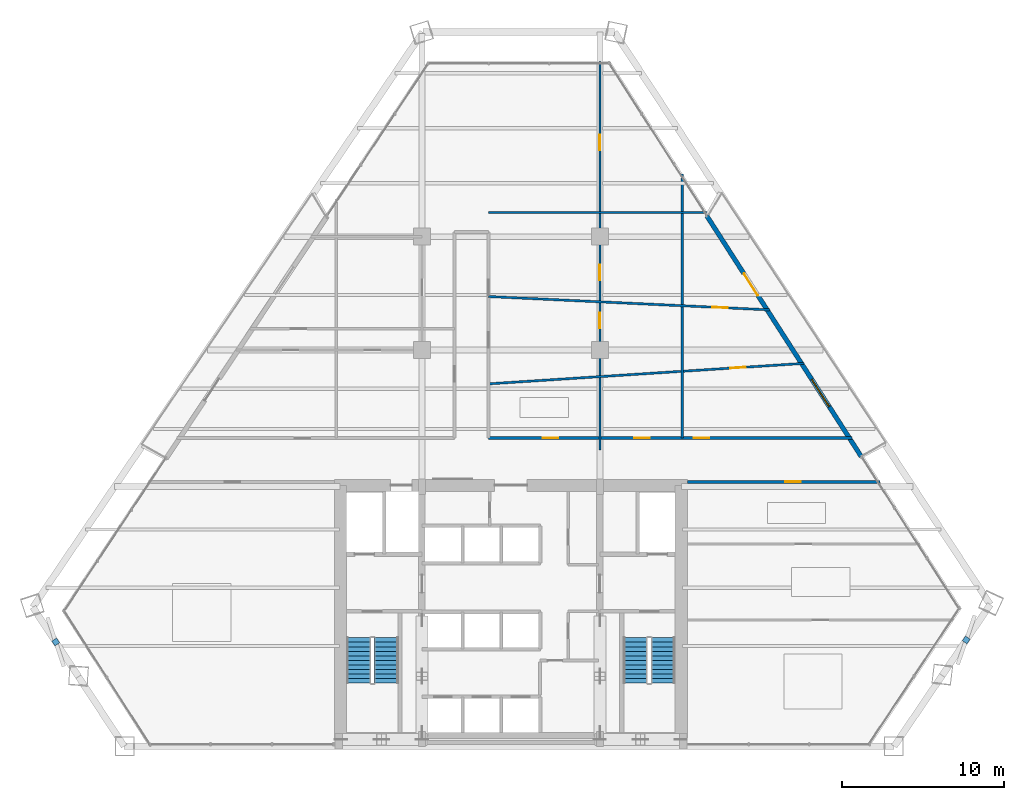
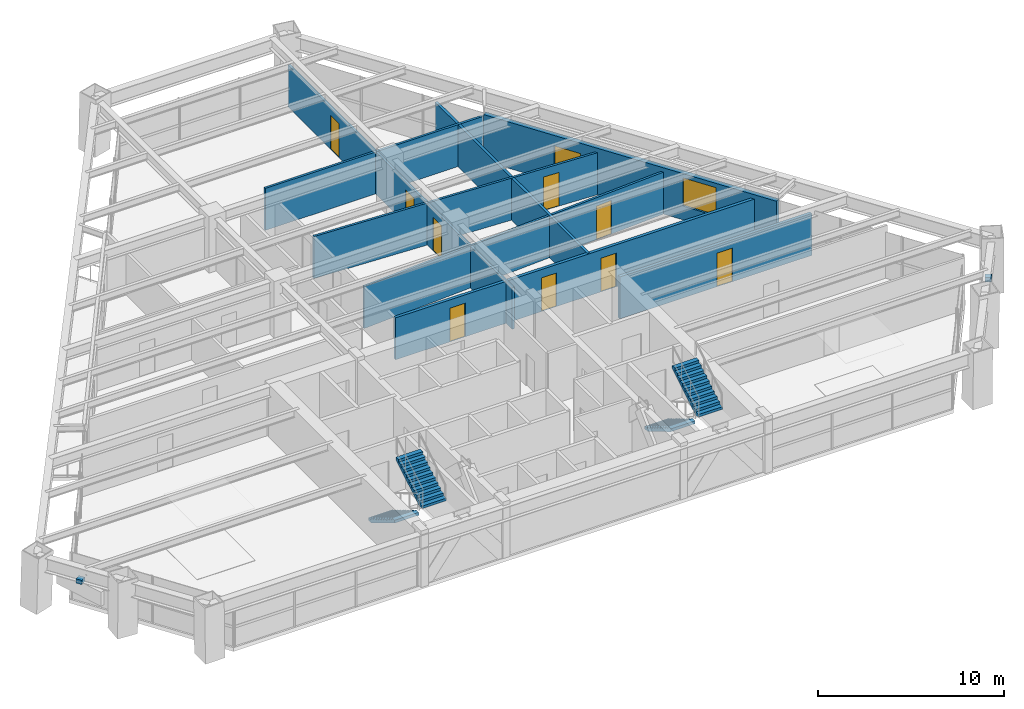
# One storey, part 12 of 14: 10 doors, 8 walls, 4 stair flights, 2 discrete accessories, 1 window, 11 openings, 2 elements without a shape of their own.
"""IFC4 building model written with IfcOpenShell, lengths in metres."""

import ifcopenshell
import ifcopenshell.guid

model = None  # the IFC model being written
_history = None  # IfcOwnerHistory: only IFC2X3 demands one
_inside = {}  # id of a spatial element -> (the spatial element, [elements in it])
_under = {}  # id of a project, library or spatial element -> (it, [spatial elements below it])
_declared = {}  # id of a project -> (the project, [libraries it declares])
_typed = {}  # id of a type object -> (the type object, [elements of that type])
_made_of = {}  # id of a material, layer set ... -> (it, [elements and type objects made of it])


def new_model(schema):
    """Start an empty IFC model of exactly this schema.

    Asked for "IFC4X3", IfcOpenShell would pick the latest addendum, in which some entities
    have other attributes; the version numbers below select the first issue.
    IFC2X3 requires an IfcOwnerHistory on every rooted entity: one is made here for all.
    """
    global model, _history
    if schema == "IFC4X3":
        model = ifcopenshell.file(schema_version=(4, 3, 0, 0))
    else:
        model = ifcopenshell.file(schema=schema)
    _inside.clear()
    _under.clear()
    _declared.clear()
    _typed.clear()
    _made_of.clear()
    _history = None
    if model.schema == "IFC2X3":
        org = make("IfcOrganization", Name="unknown")
        user = make(
            "IfcPersonAndOrganization",
            ThePerson=make("IfcPerson", FamilyName="unknown"),
            TheOrganization=org,
        )
        app = make(
            "IfcApplication",
            ApplicationDeveloper=org,
            Version="unknown",
            ApplicationFullName="unknown",
            ApplicationIdentifier="unknown",
        )
        _history = make(
            "IfcOwnerHistory",
            OwningUser=user,
            OwningApplication=app,
            ChangeAction="ADDED",
            CreationDate=0,
        )
    return model


def make(cls, **values):
    """One entity of the class cls with the attributes given. An attribute that is None is left unset."""
    return model.create_entity(
        cls, **{name: value for name, value in values.items() if value is not None}
    )


def rooted(cls, **values):
    """An entity with a GlobalId (a new one), such as an element, a storey or a relation."""
    return make(cls, GlobalId=ifcopenshell.guid.new(), OwnerHistory=_history, **values)


def si_unit(unit_type, name, prefix=None):
    """IfcSIUnit, for example si_unit("LENGTHUNIT", "METRE", prefix="MILLI")."""
    return make("IfcSIUnit", UnitType=unit_type, Prefix=prefix, Name=name)


def assignment(units):
    """IfcUnitAssignment: the units of a project."""
    return None if units is None else make("IfcUnitAssignment", Units=units)


def point(xyz):
    """IfcCartesianPoint."""
    return None if xyz is None else make("IfcCartesianPoint", Coordinates=xyz)


def direction(xyz):
    """IfcDirection."""
    return None if xyz is None else make("IfcDirection", DirectionRatios=xyz)


def frame(location, z_axis=None, x_axis=None):
    """IfcAxis2Placement3D, a coordinate frame: its origin and axes. An axis left out is left unset."""
    return make(
        "IfcAxis2Placement3D",
        Location=point(location),
        Axis=direction(z_axis),
        RefDirection=direction(x_axis),
    )


def frame_2d(location, x_axis=None):
    """IfcAxis2Placement2D, a coordinate frame in the plane: its origin and x axis."""
    return make(
        "IfcAxis2Placement2D", Location=point(location), RefDirection=direction(x_axis)
    )


def origin():
    """The frame at (0, 0, 0) with its axes left unset."""
    return frame((0.0, 0.0, 0.0))


def origin_2d():
    """The frame at (0, 0) in the plane with its x axis left unset."""
    return frame_2d((0.0, 0.0))


def place(relative_to, where):
    """IfcLocalPlacement: puts the frame where relative to a parent placement (None: the world)."""
    return make(
        "IfcLocalPlacement", PlacementRelTo=relative_to, RelativePlacement=where
    )


def context(
    kind, dimensions, precision=None, world=None, true_north=None, identifier=None
):
    """IfcGeometricRepresentationContext, for example the 3D "Model" context."""
    return make(
        "IfcGeometricRepresentationContext",
        ContextIdentifier=identifier,
        ContextType=kind,
        CoordinateSpaceDimension=dimensions,
        Precision=precision,
        WorldCoordinateSystem=world,
        TrueNorth=true_north,
    )


def subcontext(parent, identifier, kind, view, scale=None):
    """IfcGeometricRepresentationSubContext, for example "Body" below "Model"."""
    return make(
        "IfcGeometricRepresentationSubContext",
        ContextIdentifier=identifier,
        ContextType=kind,
        ParentContext=parent,
        TargetScale=scale,
        TargetView=view,
    )


def project(units=None, contexts=None):
    """IfcProject with its units and contexts."""
    return rooted(
        "IfcProject",
        Name="project",
        RepresentationContexts=contexts,
        UnitsInContext=assignment(units),
    )


def spatial(cls, under=None, at=None, **own):
    """A site, building, storey or space (cls), placed at a placement, below another one or the project."""
    s = rooted(cls, ObjectPlacement=at, **own)
    if under is not None:
        _under.setdefault(under.id(), (under, []))[1].append(s)
    return s


def polyline(points):
    """IfcPolyline through the points."""
    return make("IfcPolyline", Points=[point(p) for p in points])


def profile(cls, at=None, kind="AREA", **sizes):
    """A parametric profile (cls). Its sizes go by their IFC names, for example OverallWidth=200.0."""
    return make(cls, ProfileType=kind, Position=at, **sizes)


def rectangle(**sizes):
    """IfcRectangleProfileDef."""
    return profile("IfcRectangleProfileDef", **sizes)


def outline(outer, holes=None, kind="AREA"):
    """IfcArbitraryClosedProfileDef: a profile drawn as a closed curve; with holes, ...WithVoids."""
    if holes is None:
        return make("IfcArbitraryClosedProfileDef", ProfileType=kind, OuterCurve=outer)
    return make(
        "IfcArbitraryProfileDefWithVoids",
        ProfileType=kind,
        OuterCurve=outer,
        InnerCurves=holes,
    )


def extrude(swept, where, along, depth):
    """IfcExtrudedAreaSolid: the profile swept, set in the frame where, extruded along a direction by depth."""
    return make(
        "IfcExtrudedAreaSolid",
        SweptArea=swept,
        Position=where,
        ExtrudedDirection=direction(along),
        Depth=depth,
    )


def shape(context_of_items, identifier, shape_type, items):
    """IfcShapeRepresentation: the items that make up one representation, for example the "Body"."""
    return make(
        "IfcShapeRepresentation",
        ContextOfItems=context_of_items,
        RepresentationIdentifier=identifier,
        RepresentationType=shape_type,
        Items=items,
    )


def source(mapping_origin, context_of_items, identifier, shape_type, items):
    """IfcRepresentationMap: a shape defined once, which mapped items show again and again."""
    return make(
        "IfcRepresentationMap",
        MappingOrigin=mapping_origin,
        MappedRepresentation=shape(context_of_items, identifier, shape_type, items),
    )


def transform(
    local_origin,
    x_axis=None,
    y_axis=None,
    z_axis=None,
    scale=None,
    scale2=None,
    scale3=None,
    uniform=True,
):
    """IfcCartesianTransformationOperator3D, or its non-uniform kind. x_axis, y_axis, z_axis: its Axis1, 2, 3."""
    if uniform:
        return make(
            "IfcCartesianTransformationOperator3D",
            Axis1=direction(x_axis),
            Axis2=direction(y_axis),
            LocalOrigin=point(local_origin),
            Scale=scale,
            Axis3=direction(z_axis),
        )
    return make(
        "IfcCartesianTransformationOperator3DnonUniform",
        Axis1=direction(x_axis),
        Axis2=direction(y_axis),
        LocalOrigin=point(local_origin),
        Scale=scale,
        Axis3=direction(z_axis),
        Scale2=scale2,
        Scale3=scale3,
    )


def mapped(mapping_source, mapping_target):
    """IfcMappedItem: shows the shape of a source again, moved by a transform."""
    return make(
        "IfcMappedItem", MappingSource=mapping_source, MappingTarget=mapping_target
    )


def material(Name=None, Category=None):
    """IfcMaterial."""
    return make("IfcMaterial", Name=Name, Category=Category)


def layer(
    of_material, thickness, ventilated=None, Name=None, Category=None, Priority=None
):
    """IfcMaterialLayer: one layer of a wall or slab, of a material (None: an air gap)."""
    return make(
        "IfcMaterialLayer",
        Material=of_material,
        LayerThickness=thickness,
        IsVentilated=ventilated,
        Name=Name,
        Category=Category,
        Priority=Priority,
    )


def layer_set(layers, Name=None):
    """IfcMaterialLayerSet."""
    return make("IfcMaterialLayerSet", MaterialLayers=layers, LayerSetName=Name)


def made_of(thing, what):
    """Note that an element or type object is made of a material, layer set ...; save() writes the relation."""
    if what is not None:
        _made_of.setdefault(what.id(), (what, []))[1].append(thing)
    return thing


def type_object(cls, material=None, **own):
    """A type object (cls), such as IfcWallType, which elements share."""
    return made_of(rooted(cls, **own), material)


def type_shapes(of_type, sources):
    """Give a type object the sources (RepresentationMaps) that its elements show as mapped items."""
    of_type.RepresentationMaps = sources


def element(
    cls,
    number,
    at=None,
    inside=None,
    cuts=None,
    type_object=None,
    material=None,
    context=None,
    identifier="Body",
    shape_type=None,
    held_by="IfcProductDefinitionShape",
    body=None,
    shapes=None,
    **own,
):
    """One element of the class cls, such as IfcWall. Its Tag is "e" and its number.

    at: its placement. inside: the storey or other place that contains it. cuts: it is an
    opening in that element (IfcRelVoidsElement). A single representation is given by context,
    identifier, shape_type and body (its items); several are given by shapes. held_by: the class
    of the entity that holds the representations. save() writes the other relations.
    """
    e = rooted(cls, Tag="e%d" % number, ObjectPlacement=at, **own)
    if body is not None:
        shapes = [shape(context, identifier, shape_type, body)]
    if shapes is not None:
        e.Representation = make(held_by, Representations=shapes)
    if inside is not None:
        _inside.setdefault(inside.id(), (inside, []))[1].append(e)
    if cuts is not None:
        rooted(
            "IfcRelVoidsElement", RelatingBuildingElement=cuts, RelatedOpeningElement=e
        )
    if type_object is not None:
        _typed.setdefault(type_object.id(), (type_object, []))[1].append(e)
    return made_of(e, material)


def fill(opening, filler):
    """IfcRelFillsElement: the door or window that sits in an opening."""
    return rooted(
        "IfcRelFillsElement",
        RelatingOpeningElement=opening,
        RelatedBuildingElement=filler,
    )


def aggregate(whole, parts):
    """IfcRelAggregates: a whole, such as a stair, and the parts it consists of."""
    return rooted("IfcRelAggregates", RelatingObject=whole, RelatedObjects=parts)


def save(model, path):
    """Write the relations noted so far, then the file.

    IfcRelAggregates (storeys below a building ...), IfcRelContainedInSpatialStructure (elements
    in a storey), IfcRelDefinesByType, IfcRelAssociatesMaterial and IfcRelDeclares: one each for
    every whole, place, type object, material and project.
    """
    for whole, parts in _under.values():
        aggregate(whole, parts)
    for where, things in _inside.values():
        rooted(
            "IfcRelContainedInSpatialStructure",
            RelatedElements=things,
            RelatingStructure=where,
        )
    for kind, things in _typed.values():
        rooted("IfcRelDefinesByType", RelatedObjects=things, RelatingType=kind)
    for what, things in _made_of.values():
        rooted("IfcRelAssociatesMaterial", RelatedObjects=things, RelatingMaterial=what)
    for by, libraries in _declared.values():
        rooted("IfcRelDeclares", RelatingContext=by, RelatedDefinitions=libraries)
    model.write(path)


model = new_model("IFC4")

# Units and contexts
model_context = context("Model", 3, precision=1e-05, world=origin(), true_north=direction((0.0, 1.0)))
body_context = subcontext(model_context, "Body", "Model", "MODEL_VIEW")
ifc_project = project(units=[si_unit("LENGTHUNIT", "METRE"), si_unit("AREAUNIT", "SQUARE_METRE"), si_unit("VOLUMEUNIT", "CUBIC_METRE"), si_unit("PLANEANGLEUNIT", "RADIAN"), si_unit("MASSUNIT", "GRAM", prefix="KILO")], contexts=[model_context])

# Site, building, storey
site_placement = place(None, origin())
site = spatial("IfcSite", under=ifc_project, at=site_placement, CompositionType="ELEMENT")
building_placement = place(site_placement, origin())
building = spatial("IfcBuilding", under=site, at=building_placement, Name="Varnakhor Terracotta Tower", CompositionType="ELEMENT")
storey_placement = place(building_placement, frame((0.0, 0.0, 113.60009765625)))
storey = spatial("IfcBuildingStorey", under=building, at=storey_placement, Name="L28", CompositionType="ELEMENT", Elevation=113.60009765625)

# Wall, opening, door
ifc_material_1 = material(Name="Fire-Rated Gypsum Stud Partition", Category="gypsum")
ifc_layer_1 = layer(ifc_material_1, 0.18505859375, Name="Fire-Rated Gypsum Stud Partition")
ifc_layer_set_1 = layer_set([ifc_layer_1], Name="Fire-Rated Gypsum Stud Partition")
wall_type_1 = type_object("IfcWallType", Name="WAL-CORR-185", PredefinedType="PARTITIONING", material=ifc_layer_set_1)
wall_1_placement = place(storey_placement, frame((10.919921875, 16.35009765625, 0.0), z_axis=(0.0, 0.0, 1.0), x_axis=(1.0, 0.0, 0.0)))
wall_1 = element("IfcWall", 1, at=wall_1_placement, inside=storey, type_object=wall_type_1, Name="L28 South East Corridor Wall", PredefinedType="PARTITIONING", context=body_context, shape_type="SweptSolid", body=[
    extrude(rectangle(XDim=11.89111328125, YDim=0.18505859375, at=frame_2d((5.945556640625, 0.0))), origin(), (0.0, 0.0, 1.0), 2.746826171875),
])
opening_1_placement = place(wall_1_placement, frame((6.031005859375, 0.0, 0.0)))
opening_1 = element("IfcOpeningElement", 2, at=opening_1_placement, cuts=wall_1, Name="Opening DR-94", PredefinedType="OPENING", context=body_context, shape_type="SweptSolid", body=[
    extrude(rectangle(XDim=0.949951171875, YDim=2.199951171875, at=frame_2d((0.47509765625, 1.10009765625))), frame((0.0, 0.1025390625, 0.0), z_axis=(0.0, -1.0, 0.0), x_axis=(1.0, 0.0, 0.0)), (0.0, 0.0, 1.0), 0.205078125),
])
ifc_material_2 = material(Name="Acoustic Glazed-Vision Timber Office Door", Category="wood")
door_type_1 = type_object("IfcDoorType", Name="DR-OFF-950X2200", OperationType="NOTDEFINED", PredefinedType="DOOR", material=ifc_material_2)
shared_shape_1 = source(origin(), body_context, "Body", "SweptSolid", [
    extrude(rectangle(XDim=0.949951171875, YDim=2.199951171875, at=frame_2d((0.47509765625, 1.10009765625))), frame((0.0, 0.02490234375, 0.0), z_axis=(0.0, -1.0, 0.0), x_axis=(1.0, 0.0, 0.0)), (0.0, 0.0, 1.0), 0.050048828125),
])
type_shapes(door_type_1, [shared_shape_1])
door_1_placement = place(opening_1_placement, origin())
door_1 = element("IfcDoor", 3, at=door_1_placement, inside=storey, type_object=door_type_1, Name="L28 SE Suite Door", OperationType="SINGLE_SWING_RIGHT", OverallHeight=2.199951171875, OverallWidth=0.949951171875, PredefinedType="DOOR", context=body_context, shape_type="MappedRepresentation", body=[
    mapped(shared_shape_1, transform((0.0, 0.0, 0.0), scale=1.0)),
])
fill(opening_1, door_1)

# Wall, openings, doors
wall_2_placement = place(storey_placement, frame((-1.39990234375, 19.050048828125, 0.0), z_axis=(0.0, 0.0, 1.0), x_axis=(1.0, 0.0, 0.0)))
wall_2 = element("IfcWall", 4, at=wall_2_placement, inside=storey, type_object=wall_type_1, Name="L28 Corridor North East Wall", PredefinedType="PARTITIONING", context=body_context, shape_type="SweptSolid", body=[
    extrude(rectangle(XDim=22.478271484375, YDim=0.18505859375, at=frame_2d((11.2392578125, 0.0))), origin(), (0.0, 0.0, 1.0), 2.746826171875),
])
opening_2_placement = place(wall_2_placement, frame((12.715087890625, 0.0, 0.0)))
opening_2 = element("IfcOpeningElement", 5, at=opening_2_placement, cuts=wall_2, Name="Opening DR-94", PredefinedType="OPENING", context=body_context, shape_type="SweptSolid", body=[
    extrude(rectangle(XDim=0.949951171875, YDim=2.199951171875, at=frame_2d((0.47509765625, 1.10009765625))), frame((0.0, 0.1025390625, 0.0), z_axis=(0.0, -1.0, 0.0), x_axis=(1.0, 0.0, 0.0)), (0.0, 0.0, 1.0), 0.205078125),
])
opening_3_placement = place(wall_2_placement, frame((3.364013671875, 0.0, 0.0)))
opening_3 = element("IfcOpeningElement", 6, at=opening_3_placement, cuts=wall_2, Name="Opening DR-94", PredefinedType="OPENING", context=body_context, shape_type="SweptSolid", body=[
    extrude(rectangle(XDim=0.949951171875, YDim=2.199951171875, at=frame_2d((0.47509765625, 1.10009765625))), frame((0.0, 0.1025390625, 0.0), z_axis=(0.0, -1.0, 0.0), x_axis=(1.0, 0.0, 0.0)), (0.0, 0.0, 1.0), 0.205078125),
])
opening_4_placement = place(wall_2_placement, frame((9.023193359375, 0.0, 0.0)))
opening_4 = element("IfcOpeningElement", 7, at=opening_4_placement, cuts=wall_2, Name="Opening DR-94", PredefinedType="OPENING", context=body_context, shape_type="SweptSolid", body=[
    extrude(rectangle(XDim=0.949951171875, YDim=2.199951171875, at=frame_2d((0.47509765625, 1.10009765625))), frame((0.0, 0.1025390625, 0.0), z_axis=(0.0, -1.0, 0.0), x_axis=(1.0, 0.0, 0.0)), (0.0, 0.0, 1.0), 0.205078125),
])
door_2_placement = place(opening_2_placement, origin())
door_2 = element("IfcDoor", 8, at=door_2_placement, inside=storey, type_object=door_type_1, Name="L28 East Workplace Door", OperationType="SINGLE_SWING_RIGHT", OverallHeight=2.199951171875, OverallWidth=0.949951171875, PredefinedType="DOOR", context=body_context, shape_type="MappedRepresentation", body=[
    mapped(shared_shape_1, transform((0.0, 0.0, 0.0), scale=1.0)),
])
fill(opening_2, door_2)
door_3_placement = place(opening_3_placement, origin())
door_3 = element("IfcDoor", 9, at=door_3_placement, inside=storey, type_object=door_type_1, Name="L28 Executive Dining Salon B6 Door", OperationType="SINGLE_SWING_RIGHT", OverallHeight=2.199951171875, OverallWidth=0.949951171875, PredefinedType="DOOR", context=body_context, shape_type="MappedRepresentation", body=[
    mapped(shared_shape_1, transform((0.0, 0.0, 0.0), scale=1.0)),
])
fill(opening_3, door_3)
door_4_placement = place(opening_4_placement, origin())
door_4 = element("IfcDoor", 10, at=door_4_placement, inside=storey, type_object=door_type_1, Name="L28 Staff Pantry B7 Door", OperationType="SINGLE_SWING_LEFT", OverallHeight=2.199951171875, OverallWidth=0.949951171875, PredefinedType="DOOR", context=body_context, shape_type="MappedRepresentation", body=[
    mapped(shared_shape_1, transform((0.0, 0.0, 0.0), scale=1.0)),
])
fill(opening_4, door_4)

# Wall, openings, door, window
ifc_material_3 = material(Name="Extruded Architectural Terracotta Assembly", Category="masonry")
ifc_layer_2 = layer(ifc_material_3, 0.280029296875, Name="Extruded Architectural Terracotta Assembly")
ifc_layer_set_2 = layer_set([ifc_layer_2], Name="Extruded Architectural Terracotta Assembly")
wall_type_2 = type_object("IfcWallType", Name="WAL-EXT-TERRACOTTA-280", PredefinedType="SOLIDWALL", material=ifc_layer_set_2)
wall_3_placement = place(storey_placement, frame((12.106201171875, 32.7890625, 0.0), z_axis=(0.0, 0.0, 1.0), x_axis=(0.540123023737, -0.841586073571, 0.0)))
wall_3 = element("IfcWall", 11, at=wall_3_placement, inside=storey, type_object=wall_type_2, Name="L28 E Loggia Insulated Terracotta Wall", PredefinedType="SOLIDWALL", context=body_context, shape_type="SweptSolid", body=[
    extrude(rectangle(XDim=17.679931640625, YDim=0.280029296875, at=frame_2d((8.83984375, 0.0))), origin(), (0.0, 0.0, 1.0), 3.02978515625),
])
opening_5_placement = place(wall_3_placement, frame((4.2431640625, 0.0, 0.0)))
opening_5 = element("IfcOpeningElement", 12, at=opening_5_placement, cuts=wall_3, Name="Opening DR-62", PredefinedType="OPENING", context=body_context, shape_type="SweptSolid", body=[
    extrude(rectangle(XDim=1.60009765625, YDim=2.35009765625, at=frame_2d((0.800048828125, 1.175048828125))), frame((0.0, 0.14990234375, 0.0), z_axis=(0.0, -1.0, 0.0), x_axis=(1.0, 0.0, 0.0)), (0.0, 0.0, 1.0), 0.300048828125),
])
opening_6_placement = place(wall_3_placement, frame((12.022216796875, 0.0, 0.89990234375)))
opening_6 = element("IfcOpeningElement", 13, at=opening_6_placement, cuts=wall_3, Name="Opening WN-26", PredefinedType="OPENING", context=body_context, shape_type="SweptSolid", body=[
    extrude(rectangle(XDim=2.0, YDim=1.85009765625, at=frame_2d((1.0, 0.925048828125))), frame((0.0, 0.14990234375, 0.0), z_axis=(0.0, -1.0, 0.0), x_axis=(1.0, 0.0, 0.0)), (0.0, 0.0, 1.0), 0.300048828125),
])
ifc_material_4 = material(Name="Thermally Broken Sliding Glass Loggia Door", Category="glass")
door_type_2 = type_object("IfcDoorType", Name="DR-EXT-LOGGIA-1600X2350", OperationType="NOTDEFINED", PredefinedType="DOOR", material=ifc_material_4)
shared_shape_2 = source(origin(), body_context, "Body", "SweptSolid", [
    extrude(rectangle(XDim=1.60009765625, YDim=2.35009765625, at=frame_2d((0.800048828125, 1.175048828125))), frame((0.0, 0.02490234375, 0.0), z_axis=(0.0, -1.0, 0.0), x_axis=(1.0, 0.0, 0.0)), (0.0, 0.0, 1.0), 0.050048828125),
])
type_shapes(door_type_2, [shared_shape_2])
door_5_placement = place(opening_5_placement, origin())
door_5 = element("IfcDoor", 14, at=door_5_placement, inside=storey, type_object=door_type_2, Name="L28 E Recessed Loggia Sliding Door", OperationType="SLIDING_TO_RIGHT", OverallHeight=2.35009765625, OverallWidth=1.60009765625, PredefinedType="DOOR", context=body_context, shape_type="MappedRepresentation", body=[
    mapped(shared_shape_2, transform((0.0, 0.0, 0.0), scale=1.0)),
])
fill(opening_5, door_5)
ifc_material_5 = material(Name="Solar-Control Low-E Insulated Glass Unit", Category="glass")
window_type = type_object("IfcWindowType", Name="WIN-OFF-2200X2100", PartitioningType="SINGLE_PANEL", PredefinedType="WINDOW", material=ifc_material_5)
shared_shape_3 = source(origin(), body_context, "Body", "SweptSolid", [
    extrude(rectangle(XDim=2.0, YDim=1.85009765625, at=frame_2d((1.0, 0.925048828125))), frame((0.0, 0.030029296875, 0.0), z_axis=(0.0, -1.0, 0.0), x_axis=(1.0, 0.0, 0.0)), (0.0, 0.0, 1.0), 0.06005859375),
])
type_shapes(window_type, [shared_shape_3])
window_placement = place(opening_6_placement, origin())
window = element("IfcWindow", 15, at=window_placement, inside=storey, type_object=window_type, Name="L28 E Facet Punched Window", OverallHeight=1.85009765625, OverallWidth=2.0, PartitioningType="SINGLE_PANEL", PredefinedType="WINDOW", context=body_context, shape_type="MappedRepresentation", body=[
    mapped(shared_shape_3, transform((0.0, 0.0, 0.0), scale=1.0)),
])
fill(opening_6, window)

# Wall, openings, doors
ifc_material_6 = material(Name="Acoustic Metal-Stud Partition", Category="gypsum")
ifc_layer_3 = layer(ifc_material_6, 0.139892578125, Name="Acoustic Metal-Stud Partition")
ifc_layer_set_3 = layer_set([ifc_layer_3], Name="Acoustic Metal-Stud Partition")
wall_type_3 = type_object("IfcWallType", Name="WAL-PART-140", PredefinedType="PARTITIONING", material=ifc_layer_set_3)
wall_4_placement = place(storey_placement, frame((5.5, 18.300048828125, 0.0), z_axis=(0.0, 0.0, 1.0), x_axis=(0.0, 1.0, 0.0)))
wall_4 = element("IfcWall", 16, at=wall_4_placement, inside=storey, type_object=wall_type_3, Name="L28 East Full Column Wall", PredefinedType="PARTITIONING", context=body_context, shape_type="SweptSolid", body=[
    extrude(rectangle(XDim=24.023193359375, YDim=0.139892578125, at=frame_2d((12.01171875, 0.0))), origin(), (0.0, 0.0, 1.0), 2.746826171875),
])
opening_7_placement = place(wall_4_placement, frame((10.501220703125, 0.0, 0.0)))
opening_7 = element("IfcOpeningElement", 17, at=opening_7_placement, cuts=wall_4, Name="Opening DR-94", PredefinedType="OPENING", context=body_context, shape_type="SweptSolid", body=[
    extrude(rectangle(XDim=0.949951171875, YDim=2.199951171875, at=frame_2d((0.47509765625, 1.10009765625))), frame((0.0, 0.080078125, 0.0), z_axis=(0.0, -1.0, 0.0), x_axis=(1.0, 0.0, 0.0)), (0.0, 0.0, 1.0), 0.159912109375),
])
opening_8_placement = place(wall_4_placement, frame((18.544677734375, 0.0, 0.0)))
opening_8 = element("IfcOpeningElement", 18, at=opening_8_placement, cuts=wall_4, Name="Opening DR-94", PredefinedType="OPENING", context=body_context, shape_type="SweptSolid", body=[
    extrude(rectangle(XDim=0.949951171875, YDim=2.199951171875, at=frame_2d((0.47509765625, 1.10009765625))), frame((0.0, 0.080078125, 0.0), z_axis=(0.0, -1.0, 0.0), x_axis=(1.0, 0.0, 0.0)), (0.0, 0.0, 1.0), 0.159912109375),
])
opening_9_placement = place(wall_4_placement, frame((7.54150390625, 0.0, 0.0)))
opening_9 = element("IfcOpeningElement", 19, at=opening_9_placement, cuts=wall_4, Name="Opening DR-94", PredefinedType="OPENING", context=body_context, shape_type="SweptSolid", body=[
    extrude(rectangle(XDim=0.949951171875, YDim=2.199951171875, at=frame_2d((0.47509765625, 1.10009765625))), frame((0.0, 0.080078125, 0.0), z_axis=(0.0, -1.0, 0.0), x_axis=(1.0, 0.0, 0.0)), (0.0, 0.0, 1.0), 0.159912109375),
])
door_6_placement = place(opening_7_placement, origin())
door_6 = element("IfcDoor", 20, at=door_6_placement, inside=storey, type_object=door_type_1, Name="L28 Director Office 2 B19 Door", OperationType="SINGLE_SWING_LEFT", OverallHeight=2.199951171875, OverallWidth=0.949951171875, PredefinedType="DOOR", context=body_context, shape_type="MappedRepresentation", body=[
    mapped(shared_shape_1, transform((0.0, 0.0, 0.0), scale=1.0)),
])
fill(opening_7, door_6)
door_7_placement = place(opening_8_placement, origin())
door_7 = element("IfcDoor", 21, at=door_7_placement, inside=storey, type_object=door_type_1, Name="L28 Innovation Workshop B21 Door", OperationType="SINGLE_SWING_RIGHT", OverallHeight=2.199951171875, OverallWidth=0.949951171875, PredefinedType="DOOR", context=body_context, shape_type="MappedRepresentation", body=[
    mapped(shared_shape_1, transform((0.0, 0.0, 0.0), scale=1.0)),
])
fill(opening_8, door_7)
door_8_placement = place(opening_9_placement, origin())
door_8 = element("IfcDoor", 22, at=door_8_placement, inside=storey, type_object=door_type_1, Name="L28 Staff Pantry B15 Door", OperationType="SINGLE_SWING_RIGHT", OverallHeight=2.199951171875, OverallWidth=0.949951171875, PredefinedType="DOOR", context=body_context, shape_type="MappedRepresentation", body=[
    mapped(shared_shape_1, transform((0.0, 0.0, 0.0), scale=1.0)),
])
fill(opening_9, door_8)

# Wall, opening, door
wall_5_placement = place(storey_placement, frame((-1.39990234375, 22.39990234375, 0.0), z_axis=(0.0, 0.0, 1.0), x_axis=(0.99789792226, 0.064805375933, 0.0)))
wall_5 = element("IfcWall", 23, at=wall_5_placement, inside=storey, type_object=wall_type_3, Name="L28 East Wing Cut 1", PredefinedType="PARTITIONING", context=body_context, shape_type="SweptSolid", body=[
    extrude(rectangle(XDim=19.555908203125, YDim=0.139892578125, at=frame_2d((9.77783203125, 0.0))), origin(), (0.0, 0.0, 1.0), 2.746826171875),
])
opening_10_placement = place(wall_5_placement, frame((14.982177734375, 0.0, 0.0)))
opening_10 = element("IfcOpeningElement", 24, at=opening_10_placement, cuts=wall_5, Name="Opening DR-94", PredefinedType="OPENING", context=body_context, shape_type="SweptSolid", body=[
    extrude(rectangle(XDim=0.949951171875, YDim=2.199951171875, at=frame_2d((0.47509765625, 1.10009765625))), frame((0.0, 0.080078125, 0.0), z_axis=(0.0, -1.0, 0.0), x_axis=(1.0, 0.0, 0.0)), (0.0, 0.0, 1.0), 0.159912109375),
])
door_9_placement = place(opening_10_placement, origin())
door_9 = element("IfcDoor", 25, at=door_9_placement, inside=storey, type_object=door_type_1, Name="L28 Director Office 3 Door", OperationType="SINGLE_SWING_RIGHT", OverallHeight=2.199951171875, OverallWidth=0.949951171875, PredefinedType="DOOR", context=body_context, shape_type="MappedRepresentation", body=[
    mapped(shared_shape_1, transform((0.0, 0.0, 0.0), scale=1.0)),
])
fill(opening_10, door_9)

wall_6_placement = place(storey_placement, frame((-1.39990234375, 27.800048828125, 0.0), z_axis=(0.0, 0.0, 1.0), x_axis=(0.998874409944, -0.047433249517, 0.0)))
wall_6 = element("IfcWall", 26, at=wall_6_placement, inside=storey, type_object=wall_type_3, Name="L28 East Wing Cut 2", PredefinedType="PARTITIONING", context=body_context, shape_type="SweptSolid", body=[
    extrude(rectangle(XDim=17.412353515625, YDim=0.139892578125, at=frame_2d((8.7060546875, 0.0))), origin(), (0.0, 0.0, 1.0), 2.746826171875),
])
opening_11_placement = place(wall_6_placement, frame((13.85888671875, 0.0, 0.0)))
opening_11 = element("IfcOpeningElement", 27, at=opening_11_placement, cuts=wall_6, Name="Opening DR-94", PredefinedType="OPENING", context=body_context, shape_type="SweptSolid", body=[
    extrude(rectangle(XDim=0.949951171875, YDim=2.199951171875, at=frame_2d((0.47509765625, 1.10009765625))), frame((0.0, 0.080078125, 0.0), z_axis=(0.0, -1.0, 0.0), x_axis=(1.0, 0.0, 0.0)), (0.0, 0.0, 1.0), 0.159912109375),
])
door_10_placement = place(opening_11_placement, origin())
door_10 = element("IfcDoor", 28, at=door_10_placement, inside=storey, type_object=door_type_1, Name="L28 Executive Dining Salon Door", OperationType="SINGLE_SWING_RIGHT", OverallHeight=2.199951171875, OverallWidth=0.949951171875, PredefinedType="DOOR", context=body_context, shape_type="MappedRepresentation", body=[
    mapped(shared_shape_1, transform((0.0, 0.0, 0.0), scale=1.0)),
])
fill(opening_11, door_10)

# Walls
wall_7_placement = place(storey_placement, frame((-1.39990234375, 33.0, 0.0), z_axis=(0.0, 0.0, 1.0), x_axis=(1.0, 0.0, 0.0)))
element("IfcWall", 29, at=wall_7_placement, inside=storey, type_object=wall_type_3, Name="L28 East Wing Cut 3", PredefinedType="PARTITIONING", context=body_context, shape_type="SweptSolid", body=[
    extrude(rectangle(XDim=13.525146484375, YDim=0.139892578125, at=frame_2d((6.7626953125, 0.0))), origin(), (0.0, 0.0, 1.0), 2.746826171875),
])
ifc_material_7 = material(Name="Acoustic Fire-Rated Partition", Category="gypsum")
ifc_layer_4 = layer(ifc_material_7, 0.1650390625, Name="Acoustic Fire-Rated Partition")
ifc_layer_set_4 = layer_set([ifc_layer_4], Name="Acoustic Fire-Rated Partition")
wall_type_4 = type_object("IfcWallType", Name="WAL-TENANCY-165", PredefinedType="PARTITIONING", material=ifc_layer_set_4)
wall_8_placement = place(storey_placement, frame((10.60009765625, 19.050048828125, 0.0), z_axis=(0.0, 0.0, 1.0), x_axis=(0.0, 1.0, 0.0)))
element("IfcWall", 30, at=wall_8_placement, inside=storey, type_object=wall_type_4, Name="L28 East Cellular Line", PredefinedType="PARTITIONING", context=body_context, shape_type="SweptSolid", body=[
    extrude(rectangle(XDim=16.32666015625, YDim=0.1650390625, at=frame_2d((8.163330078125, 0.0))), origin(), (0.0, 0.0, 1.0), 2.746826171875),
])

# Stair, stair flights
ifc_material_8 = material(Name="Concrete C40/50", Category="concrete")
stair_type = type_object("IfcStairType", Name="STR-CORE-OFFICE-1500", PredefinedType="HALF_TURN_STAIR", material=ifc_material_8)
stair_1_placement = place(storey_placement, origin())
stair_1 = element("IfcStair", 31, at=stair_1_placement, inside=storey, type_object=stair_type, Name="L28 Core Exit Stair ST-1", PredefinedType="HALF_TURN_STAIR")
stair_flight_type = type_object("IfcStairFlightType", Name="FLT-CORE-1500", PredefinedType="STRAIGHT", material=ifc_material_8)
stair_flight_1_placement = place(storey_placement, frame((-9.39990234375, 6.7099609375, 0.0), z_axis=(0.0, 0.0, 1.0), x_axis=(0.0, -1.0, 0.0)))
stair_flight_1 = element("IfcStairFlight", 32, at=stair_flight_1_placement, type_object=stair_flight_type, Name="ST-1 flight 1", NumberOfRisers=11, NumberOfTreads=10, PredefinedType="STRAIGHT", RiserHeight=0.168181818, TreadLength=0.28, context=body_context, shape_type="SweptSolid", body=[
    extrude(outline(polyline([(0.0, 0.0), (0.0, 0.168212890625), (0.280029296875, 0.168212890625), (0.280029296875, 0.33642578125), (0.56005859375, 0.33642578125), (0.56005859375, 0.504638671875), (0.840087890625, 0.504638671875), (0.840087890625, 0.672607421875), (1.1201171875, 0.672607421875), (1.1201171875, 0.8408203125), (1.39990234375, 0.8408203125), (1.39990234375, 1.009033203125), (1.679931640625, 1.009033203125), (1.679931640625, 1.17724609375), (1.9599609375, 1.17724609375), (1.9599609375, 1.345458984375), (2.239990234375, 1.345458984375), (2.239990234375, 1.513671875), (2.52001953125, 1.513671875), (2.52001953125, 1.681884765625), (2.800048828125, 1.681884765625), (2.800048828125, 1.85009765625), (2.800048828125, 1.495361328125), (0.310546875, 0.0), (0.0, 0.0)])), frame((0.0, 0.75, 0.0), z_axis=(0.0, -1.0, 0.0), x_axis=(1.0, 0.0, 0.0)), (0.0, 0.0, 1.0), 1.5),
])
stair_flight_2_placement = place(storey_placement, frame((-7.699951171875, 3.909912109375, 1.849853515625), z_axis=(0.0, 0.0, 1.0), x_axis=(0.0, 1.0, 0.0)))
stair_flight_2 = element("IfcStairFlight", 33, at=stair_flight_2_placement, type_object=stair_flight_type, Name="ST-1 flight 2", NumberOfRisers=11, NumberOfTreads=10, PredefinedType="STRAIGHT", RiserHeight=0.168181818, TreadLength=0.28, context=body_context, shape_type="SweptSolid", body=[
    extrude(outline(polyline([(0.0, 0.0), (0.0, 0.168212890625), (0.280029296875, 0.168212890625), (0.280029296875, 0.33642578125), (0.56005859375, 0.33642578125), (0.56005859375, 0.504638671875), (0.840087890625, 0.504638671875), (0.840087890625, 0.672607421875), (1.1201171875, 0.672607421875), (1.1201171875, 0.8408203125), (1.39990234375, 0.8408203125), (1.39990234375, 1.009033203125), (1.679931640625, 1.009033203125), (1.679931640625, 1.17724609375), (1.9599609375, 1.17724609375), (1.9599609375, 1.345458984375), (2.239990234375, 1.345458984375), (2.239990234375, 1.513671875), (2.52001953125, 1.513671875), (2.52001953125, 1.681884765625), (2.800048828125, 1.681884765625), (2.800048828125, 1.85009765625), (2.800048828125, 1.495361328125), (0.310546875, 0.0), (0.0, 0.0)])), frame((0.0, 0.75, 0.0), z_axis=(0.0, -1.0, 0.0), x_axis=(1.0, 0.0, 0.0)), (0.0, 0.0, 1.0), 1.5),
])
aggregate(stair_1, [stair_flight_1, stair_flight_2])

stair_2_placement = place(storey_placement, origin())
stair_2 = element("IfcStair", 34, at=stair_2_placement, inside=storey, type_object=stair_type, Name="L28 Core Exit Stair ST-2", PredefinedType="HALF_TURN_STAIR")
stair_flight_3_placement = place(storey_placement, frame((7.699951171875, 6.7099609375, 0.0), z_axis=(0.0, 0.0, 1.0), x_axis=(0.0, -1.0, 0.0)))
stair_flight_3 = element("IfcStairFlight", 35, at=stair_flight_3_placement, type_object=stair_flight_type, Name="ST-2 flight 1", NumberOfRisers=11, NumberOfTreads=10, PredefinedType="STRAIGHT", RiserHeight=0.168181818, TreadLength=0.28, context=body_context, shape_type="SweptSolid", body=[
    extrude(outline(polyline([(0.0, 0.0), (0.0, 0.168212890625), (0.280029296875, 0.168212890625), (0.280029296875, 0.33642578125), (0.56005859375, 0.33642578125), (0.56005859375, 0.504638671875), (0.840087890625, 0.504638671875), (0.840087890625, 0.672607421875), (1.1201171875, 0.672607421875), (1.1201171875, 0.8408203125), (1.39990234375, 0.8408203125), (1.39990234375, 1.009033203125), (1.679931640625, 1.009033203125), (1.679931640625, 1.17724609375), (1.9599609375, 1.17724609375), (1.9599609375, 1.345458984375), (2.239990234375, 1.345458984375), (2.239990234375, 1.513671875), (2.52001953125, 1.513671875), (2.52001953125, 1.681884765625), (2.800048828125, 1.681884765625), (2.800048828125, 1.85009765625), (2.800048828125, 1.495361328125), (0.310546875, 0.0), (0.0, 0.0)])), frame((0.0, 0.75, 0.0), z_axis=(0.0, -1.0, 0.0), x_axis=(1.0, 0.0, 0.0)), (0.0, 0.0, 1.0), 1.5),
])
stair_flight_4_placement = place(storey_placement, frame((9.39990234375, 3.909912109375, 1.849853515625), z_axis=(0.0, 0.0, 1.0), x_axis=(0.0, 1.0, 0.0)))
stair_flight_4 = element("IfcStairFlight", 36, at=stair_flight_4_placement, type_object=stair_flight_type, Name="ST-2 flight 2", NumberOfRisers=11, NumberOfTreads=10, PredefinedType="STRAIGHT", RiserHeight=0.168181818, TreadLength=0.28, context=body_context, shape_type="SweptSolid", body=[
    extrude(outline(polyline([(0.0, 0.0), (0.0, 0.168212890625), (0.280029296875, 0.168212890625), (0.280029296875, 0.33642578125), (0.56005859375, 0.33642578125), (0.56005859375, 0.504638671875), (0.840087890625, 0.504638671875), (0.840087890625, 0.672607421875), (1.1201171875, 0.672607421875), (1.1201171875, 0.8408203125), (1.39990234375, 0.8408203125), (1.39990234375, 1.009033203125), (1.679931640625, 1.009033203125), (1.679931640625, 1.17724609375), (1.9599609375, 1.17724609375), (1.9599609375, 1.345458984375), (2.239990234375, 1.345458984375), (2.239990234375, 1.513671875), (2.52001953125, 1.513671875), (2.52001953125, 1.681884765625), (2.800048828125, 1.681884765625), (2.800048828125, 1.85009765625), (2.800048828125, 1.495361328125), (0.310546875, 0.0), (0.0, 0.0)])), frame((0.0, 0.75, 0.0), z_axis=(0.0, -1.0, 0.0), x_axis=(1.0, 0.0, 0.0)), (0.0, 0.0, 1.0), 1.5),
])
aggregate(stair_2, [stair_flight_3, stair_flight_4])

# Discrete accessories
ifc_material_9 = material(Name="Stainless Steel Fixing Bracket", Category="steel")
discrete_accessory_type = type_object("IfcDiscreteAccessoryType", Name="BRACKET-TERRACOTTA-SCREEN", PredefinedType="BRACKET", material=ifc_material_9)
shared_shape_4 = source(origin(), body_context, "Body", "SweptSolid", [
    extrude(rectangle(XDim=0.35009765625, YDim=0.35009765625, at=origin_2d()), origin(), (0.0, 0.0, 1.0), 0.280029296875),
])
type_shapes(discrete_accessory_type, [shared_shape_4])
for number, where, z_axis, x_axis, name in (
    (37, (28.14404296875, 6.570068359375, 2.39306640625), (0.0, 0.0, 1.0), (0.561188061631, 0.827688322669, 0.0), "L28 E Screen Fixing Bracket"),
    (38, (-28.14013671875, 6.447265625, 2.39306640625), (0.0, 0.0, 1.0), (0.548760214283, -0.835979800725, 0.0), "L28 W Screen Fixing Bracket"),
):
    element("IfcDiscreteAccessory", number, at=place(storey_placement, frame(where, z_axis=z_axis, x_axis=x_axis)), inside=storey, type_object=discrete_accessory_type, Name=name, PredefinedType="BRACKET", context=body_context, shape_type="MappedRepresentation", body=[
        mapped(shared_shape_4, transform((0.0, 0.0, 0.0), scale=1.0)),
    ])

save(model, "model.ifc")
